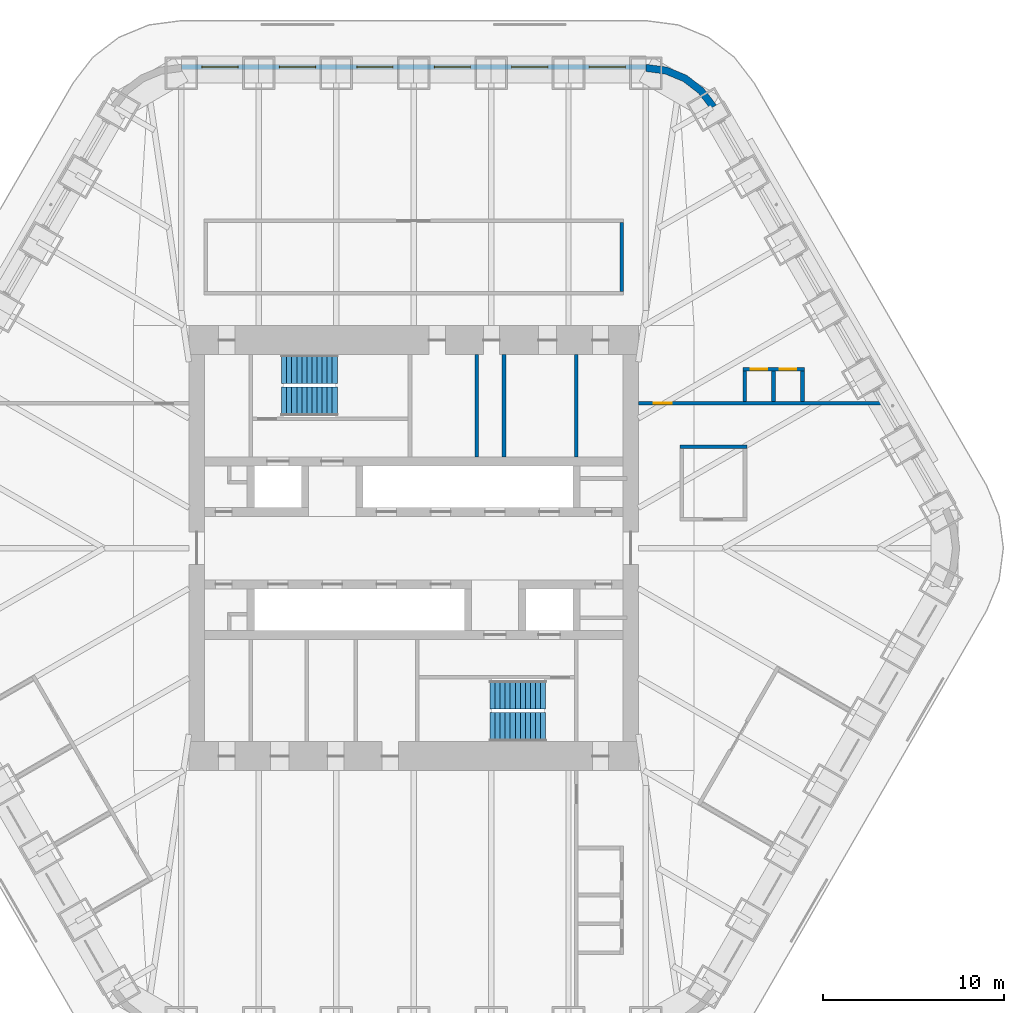
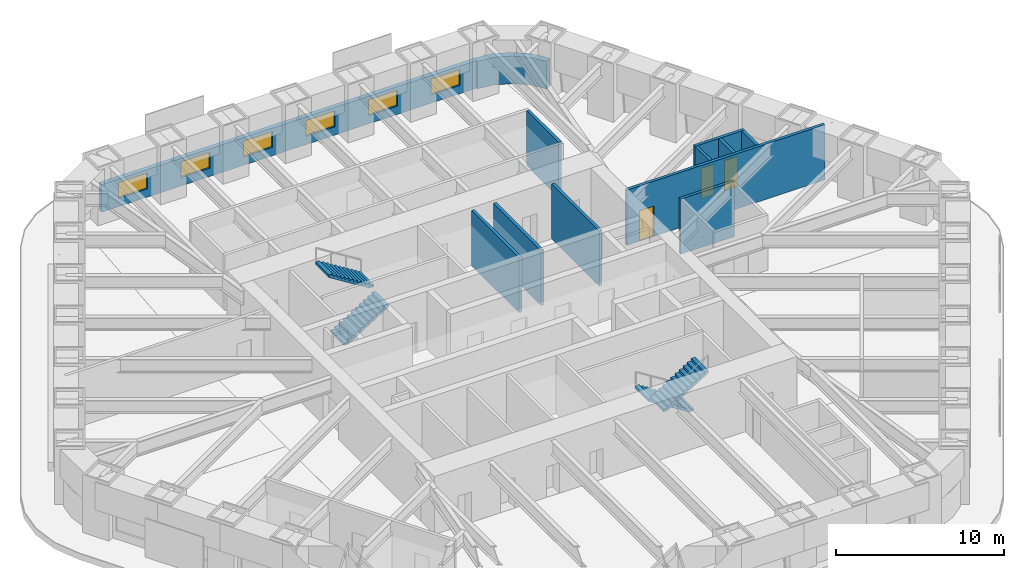
# One storey, part 16 of 18: 12 walls, 6 windows, 4 stair flights, 3 doors, 9 openings, 2 elements without a shape of their own.
"""IFC4 building model written with IfcOpenShell, lengths in metres."""

from ifc_helpers import new_model, si_unit, direction, frame, frame_2d, origin, place, context, subcontext, project, spatial, polyline, rectangle, outline, extrude, material, layer, layer_set, type_object, element, fill, aggregate, save


model = new_model("IFC4")

# Units and contexts
model_context = context("Model", 3, precision=1e-05, world=origin(), true_north=direction((0.0, 1.0)))
body_context = subcontext(model_context, "Body", "Model", "MODEL_VIEW")
ifc_project = project(units=[si_unit("LENGTHUNIT", "METRE"), si_unit("AREAUNIT", "SQUARE_METRE"), si_unit("VOLUMEUNIT", "CUBIC_METRE"), si_unit("PLANEANGLEUNIT", "RADIAN"), si_unit("MASSUNIT", "GRAM", prefix="KILO")], contexts=[model_context])

# Site, building, storey
site_placement = place(None, origin())
site = spatial("IfcSite", under=ifc_project, at=site_placement, CompositionType="ELEMENT")
building_placement = place(site_placement, origin())
building = spatial("IfcBuilding", under=site, at=building_placement, Name="Tarfa Lantern Tower", CompositionType="ELEMENT")
storey_placement = place(building_placement, frame((0.0, 0.0, 311.5)))
storey = spatial("IfcBuildingStorey", under=building, at=storey_placement, Name="L70", CompositionType="ELEMENT", Elevation=311.5)

# Wall, openings, windows
ifc_material_1 = material(Name="Limestone cladding on blockwork", Category="masonry")
ifc_layer_1 = layer(ifc_material_1, 0.300048828125)
ifc_layer_set_1 = layer_set([ifc_layer_1], Name="EW1 STONE-CLAD WALL 300")
wall_type_1 = type_object("IfcWallType", Name="EW1 STONE-CLAD WALL 300", PredefinedType="SOLIDWALL", material=ifc_layer_set_1)
wall_1_placement = place(storey_placement, frame((12.845947265625, 26.60009765625, 0.0), z_axis=(0.0, 0.0, 1.0), x_axis=(-1.0, 0.0, 0.0)))
wall_1 = element("IfcWall", 1, at=wall_1_placement, inside=storey, type_object=wall_type_1, Name="Stone wall N", PredefinedType="SOLIDWALL", context=body_context, shape_type="SweptSolid", body=[
    extrude(rectangle(XDim=25.69189453125, YDim=0.300048828125, at=frame_2d((12.845947265625, 0.0))), origin(), (0.0, 0.0, 1.0), 2.0),
])
opening_1_placement = place(wall_1_placement, frame((1.14111328125, 0.0, 0.60009765625)))
opening_1 = element("IfcOpeningElement", 2, at=opening_1_placement, cuts=wall_1, Name="Opening W12", PredefinedType="OPENING", context=body_context, shape_type="SweptSolid", body=[
    extrude(rectangle(XDim=2.0, YDim=1.14990234375, at=frame_2d((1.0, 0.574951171875))), frame((0.0, 0.159912109375, 0.0), z_axis=(0.0, -1.0, 0.0), x_axis=(1.0, 0.0, 0.0)), (0.0, 0.0, 1.0), 0.320068359375),
])
opening_2_placement = place(wall_1_placement, frame((5.423095703125, 0.0, 0.60009765625)))
opening_2 = element("IfcOpeningElement", 3, at=opening_2_placement, cuts=wall_1, Name="Opening W12", PredefinedType="OPENING", context=body_context, shape_type="SweptSolid", body=[
    extrude(rectangle(XDim=2.0, YDim=1.14990234375, at=frame_2d((1.0, 0.574951171875))), frame((0.0, 0.159912109375, 0.0), z_axis=(0.0, -1.0, 0.0), x_axis=(1.0, 0.0, 0.0)), (0.0, 0.0, 1.0), 0.320068359375),
])
opening_3_placement = place(wall_1_placement, frame((9.705078125, 0.0, 0.60009765625)))
opening_3 = element("IfcOpeningElement", 4, at=opening_3_placement, cuts=wall_1, Name="Opening W12", PredefinedType="OPENING", context=body_context, shape_type="SweptSolid", body=[
    extrude(rectangle(XDim=2.0, YDim=1.14990234375, at=frame_2d((1.0, 0.574951171875))), frame((0.0, 0.159912109375, 0.0), z_axis=(0.0, -1.0, 0.0), x_axis=(1.0, 0.0, 0.0)), (0.0, 0.0, 1.0), 0.320068359375),
])
opening_4_placement = place(wall_1_placement, frame((13.987060546875, 0.0, 0.60009765625)))
opening_4 = element("IfcOpeningElement", 5, at=opening_4_placement, cuts=wall_1, Name="Opening W12", PredefinedType="OPENING", context=body_context, shape_type="SweptSolid", body=[
    extrude(rectangle(XDim=2.0, YDim=1.14990234375, at=frame_2d((1.0, 0.574951171875))), frame((0.0, 0.159912109375, 0.0), z_axis=(0.0, -1.0, 0.0), x_axis=(1.0, 0.0, 0.0)), (0.0, 0.0, 1.0), 0.320068359375),
])
opening_5_placement = place(wall_1_placement, frame((18.26904296875, 0.0, 0.60009765625)))
opening_5 = element("IfcOpeningElement", 6, at=opening_5_placement, cuts=wall_1, Name="Opening W12", PredefinedType="OPENING", context=body_context, shape_type="SweptSolid", body=[
    extrude(rectangle(XDim=2.0, YDim=1.14990234375, at=frame_2d((1.0, 0.574951171875))), frame((0.0, 0.159912109375, 0.0), z_axis=(0.0, -1.0, 0.0), x_axis=(1.0, 0.0, 0.0)), (0.0, 0.0, 1.0), 0.320068359375),
])
opening_6_placement = place(wall_1_placement, frame((22.551025390625, 0.0, 0.60009765625)))
opening_6 = element("IfcOpeningElement", 7, at=opening_6_placement, cuts=wall_1, Name="Opening W12", PredefinedType="OPENING", context=body_context, shape_type="SweptSolid", body=[
    extrude(rectangle(XDim=2.0, YDim=1.14990234375, at=frame_2d((1.0, 0.574951171875))), frame((0.0, 0.159912109375, 0.0), z_axis=(0.0, -1.0, 0.0), x_axis=(1.0, 0.0, 0.0)), (0.0, 0.0, 1.0), 0.320068359375),
])
ifc_material_2 = material(Name="Aluminium frame, double glazed", Category="aluminium")
window_type = type_object("IfcWindowType", Name="W12 FULL-HEIGHT GLAZING 2000x1150", PartitioningType="SINGLE_PANEL", PredefinedType="WINDOW", material=ifc_material_2)
window_1_placement = place(opening_1_placement, origin())
window_1 = element("IfcWindow", 8, at=window_1_placement, inside=storey, type_object=window_type, Name="Window N 1", OverallHeight=1.14990234375, OverallWidth=2.0, PartitioningType="SINGLE_PANEL", PredefinedType="WINDOW", context=body_context, shape_type="SweptSolid", body=[
    extrude(rectangle(XDim=2.0, YDim=1.14990234375, at=frame_2d((1.0, 0.574951171875))), frame((0.0, 0.030029296875, 0.0), z_axis=(0.0, -1.0, 0.0), x_axis=(1.0, 0.0, 0.0)), (0.0, 0.0, 1.0), 0.06005859375),
])
fill(opening_1, window_1)
window_2_placement = place(opening_2_placement, origin())
window_2 = element("IfcWindow", 9, at=window_2_placement, inside=storey, type_object=window_type, Name="Window N 2", OverallHeight=1.14990234375, OverallWidth=2.0, PartitioningType="SINGLE_PANEL", PredefinedType="WINDOW", context=body_context, shape_type="SweptSolid", body=[
    extrude(rectangle(XDim=2.0, YDim=1.14990234375, at=frame_2d((1.0, 0.574951171875))), frame((0.0, 0.030029296875, 0.0), z_axis=(0.0, -1.0, 0.0), x_axis=(1.0, 0.0, 0.0)), (0.0, 0.0, 1.0), 0.06005859375),
])
fill(opening_2, window_2)
window_3_placement = place(opening_3_placement, origin())
window_3 = element("IfcWindow", 10, at=window_3_placement, inside=storey, type_object=window_type, Name="Window N 3", OverallHeight=1.14990234375, OverallWidth=2.0, PartitioningType="SINGLE_PANEL", PredefinedType="WINDOW", context=body_context, shape_type="SweptSolid", body=[
    extrude(rectangle(XDim=2.0, YDim=1.14990234375, at=frame_2d((1.0, 0.574951171875))), frame((0.0, 0.030029296875, 0.0), z_axis=(0.0, -1.0, 0.0), x_axis=(1.0, 0.0, 0.0)), (0.0, 0.0, 1.0), 0.06005859375),
])
fill(opening_3, window_3)
window_4_placement = place(opening_4_placement, origin())
window_4 = element("IfcWindow", 11, at=window_4_placement, inside=storey, type_object=window_type, Name="Window N 4", OverallHeight=1.14990234375, OverallWidth=2.0, PartitioningType="SINGLE_PANEL", PredefinedType="WINDOW", context=body_context, shape_type="SweptSolid", body=[
    extrude(rectangle(XDim=2.0, YDim=1.14990234375, at=frame_2d((1.0, 0.574951171875))), frame((0.0, 0.030029296875, 0.0), z_axis=(0.0, -1.0, 0.0), x_axis=(1.0, 0.0, 0.0)), (0.0, 0.0, 1.0), 0.06005859375),
])
fill(opening_4, window_4)
window_5_placement = place(opening_5_placement, origin())
window_5 = element("IfcWindow", 12, at=window_5_placement, inside=storey, type_object=window_type, Name="Window N 5", OverallHeight=1.14990234375, OverallWidth=2.0, PartitioningType="SINGLE_PANEL", PredefinedType="WINDOW", context=body_context, shape_type="SweptSolid", body=[
    extrude(rectangle(XDim=2.0, YDim=1.14990234375, at=frame_2d((1.0, 0.574951171875))), frame((0.0, 0.030029296875, 0.0), z_axis=(0.0, -1.0, 0.0), x_axis=(1.0, 0.0, 0.0)), (0.0, 0.0, 1.0), 0.06005859375),
])
fill(opening_5, window_5)
window_6_placement = place(opening_6_placement, origin())
window_6 = element("IfcWindow", 13, at=window_6_placement, inside=storey, type_object=window_type, Name="Window N 6", OverallHeight=1.14990234375, OverallWidth=2.0, PartitioningType="SINGLE_PANEL", PredefinedType="WINDOW", context=body_context, shape_type="SweptSolid", body=[
    extrude(rectangle(XDim=2.0, YDim=1.14990234375, at=frame_2d((1.0, 0.574951171875))), frame((0.0, 0.030029296875, 0.0), z_axis=(0.0, -1.0, 0.0), x_axis=(1.0, 0.0, 0.0)), (0.0, 0.0, 1.0), 0.06005859375),
])
fill(opening_6, window_6)

# Walls
ifc_layer_2 = layer(ifc_material_1, 0.39990234375)
ifc_layer_set_2 = layer_set([ifc_layer_2], Name="EW2 CURVED STONE CORNER 400")
wall_type_2 = type_object("IfcWallType", Name="EW2 CURVED STONE CORNER 400", PredefinedType="SOLIDWALL", material=ifc_layer_set_2)
wall_2_placement = place(storey_placement, origin())
element("IfcWall", 14, at=wall_2_placement, inside=storey, type_object=wall_type_2, Name="Stone corner NE-N", PredefinedType="SOLIDWALL", context=body_context, shape_type="SweptSolid", body=[
    extrude(outline(polyline([(16.7431640625, 24.5), (16.028076171875, 25.431884765625), (15.095947265625, 26.147216796875), (14.0107421875, 26.5966796875), (12.845947265625, 26.75), (12.845947265625, 26.35009765625), (13.9072265625, 26.210205078125), (14.89599609375, 25.80078125), (15.7451171875, 25.149169921875), (16.396728515625, 24.300048828125), (16.7431640625, 24.5)])), origin(), (0.0, 0.0, 1.0), 2.0),
])
ifc_material_3 = material(Name="Concrete blockwork", Category="masonry")
ifc_layer_3 = layer(ifc_material_3, 0.199951171875)
ifc_layer_set_3 = layer_set([ifc_layer_3], Name="IW1 BLOCKWORK PARTITION 200 EI 120")
wall_type_3 = type_object("IfcWallType", Name="IW1 BLOCKWORK PARTITION 200 EI 120", PredefinedType="PARTITIONING", material=ifc_layer_set_3)
for number, where, z_axis, x_axis, name in (
    (15, (9.0, 5.050048828125, 0.0), (0.0, 0.0, 1.0), (0.0, 1.0, 0.0), "Core partition"),
    (16, (3.5, 5.050048828125, 0.0), (0.0, 0.0, 1.0), (0.0, 1.0, 0.0), "Core partition"),
    (17, (5.0, 5.050048828125, 0.0), (0.0, 0.0, 1.0), (0.0, 1.0, 0.0), "Core partition"),
):
    element("IfcWall", number, at=place(storey_placement, frame(where, z_axis=z_axis, x_axis=x_axis)), inside=storey, type_object=wall_type_3, Name=name, PredefinedType="PARTITIONING", context=body_context, shape_type="SweptSolid", body=[
        extrude(rectangle(XDim=5.64990234375, YDim=0.199951171875, at=frame_2d((2.824951171875, 0.0))), origin(), (0.0, 0.0, 1.0), 4.0),
    ])
ifc_material_4 = material(Name="Gypsum board on steel studs", Category="steel")
ifc_layer_4 = layer(ifc_material_4, 0.2099609375)
ifc_layer_set_4 = layer_set([ifc_layer_4], Name="IW2 ACOUSTIC PARTITION 200")
wall_type_4 = type_object("IfcWallType", Name="IW2 ACOUSTIC PARTITION 200", PredefinedType="PARTITIONING", material=ifc_layer_set_4)
wall_3_placement = place(storey_placement, frame((11.5, 14.199951171875, 0.0), z_axis=(0.0, 0.0, 1.0), x_axis=(0.0, 1.0, 0.0)))
element("IfcWall", 18, at=wall_3_placement, inside=storey, type_object=wall_type_4, Name="Partition", PredefinedType="PARTITIONING", context=body_context, shape_type="SweptSolid", body=[
    extrude(rectangle(XDim=3.800048828125, YDim=0.199951171875, at=frame_2d((1.89990234375, 0.0))), origin(), (0.0, 0.0, 1.0), 4.0),
])
wall_4_placement = place(storey_placement, frame((14.72509765625, 5.60009765625, 0.0), z_axis=(0.0, 0.0, 1.0), x_axis=(1.0, 0.0, 0.0)))
element("IfcWall", 19, at=wall_4_placement, inside=storey, type_object=wall_type_4, Name="Partition", PredefinedType="PARTITIONING", context=body_context, shape_type="SweptSolid", body=[
    extrude(rectangle(XDim=3.699951171875, YDim=0.199951171875, at=frame_2d((1.85009765625, 0.0))), origin(), (0.0, 0.0, 1.0), 4.0),
])

# Wall, opening, door
wall_5_placement = place(storey_placement, frame((12.425048828125, 8.0, 0.0), z_axis=(0.0, 0.0, 1.0), x_axis=(1.0, 0.0, 0.0)))
wall_5 = element("IfcWall", 20, at=wall_5_placement, inside=storey, type_object=wall_type_4, Name="Partition", PredefinedType="PARTITIONING", context=body_context, shape_type="SweptSolid", body=[
    extrude(rectangle(XDim=13.59033203125, YDim=0.199951171875, at=frame_2d((6.795166015625, 0.0))), origin(), (0.0, 0.0, 1.0), 4.0),
])
opening_7_placement = place(wall_5_placement, frame((0.859130859375, 0.0, 0.0)))
opening_7 = element("IfcOpeningElement", 21, at=opening_7_placement, cuts=wall_5, Name="Opening D32", PredefinedType="OPENING", context=body_context, shape_type="SweptSolid", body=[
    extrude(rectangle(XDim=1.0, YDim=2.199951171875, at=frame_2d((0.5, 1.10009765625))), frame((0.0, 0.10986328125, 0.0), z_axis=(0.0, -1.0, 0.0), x_axis=(1.0, 0.0, 0.0)), (0.0, 0.0, 1.0), 0.219970703125),
])
ifc_material_5 = material(Name="Timber door", Category="wood")
door_type_1 = type_object("IfcDoorType", Name="DR1 ROOM DOOR 1000x2200", OperationType="SINGLE_SWING_LEFT", PredefinedType="DOOR", material=ifc_material_5)
door_1_placement = place(opening_7_placement, frame((1.0, 0.0, 0.0), z_axis=(0.0, 0.0, 1.0), x_axis=(-1.0, 0.0, 0.0)))
door_1 = element("IfcDoor", 22, at=door_1_placement, inside=storey, type_object=door_type_1, Name="Zone door", OperationType="SINGLE_SWING_LEFT", OverallHeight=2.199951171875, OverallWidth=1.0, PredefinedType="DOOR", context=body_context, shape_type="SweptSolid", body=[
    extrude(rectangle(XDim=1.0, YDim=2.199951171875, at=frame_2d((0.5, 1.10009765625))), frame((0.0, 0.02490234375, 0.0), z_axis=(0.0, -1.0, 0.0), x_axis=(1.0, 0.0, 0.0)), (0.0, 0.0, 1.0), 0.050048828125),
])
fill(opening_7, door_1)

# Wall, openings, doors
wall_6_placement = place(storey_placement, frame((18.19970703125, 9.89990234375, 0.0), z_axis=(0.0, 0.0, 1.0), x_axis=(1.0, 0.0, 0.0)))
wall_6 = element("IfcWall", 23, at=wall_6_placement, inside=storey, type_object=wall_type_4, Name="Partition", PredefinedType="PARTITIONING", context=body_context, shape_type="SweptSolid", body=[
    extrude(rectangle(XDim=3.39990234375, YDim=0.199951171875, at=frame_2d((1.699951171875, 0.0))), origin(), (0.0, 0.0, 1.0), 4.0),
])
opening_8_placement = place(wall_6_placement, frame((0.449951171875, 0.0, 0.0)))
opening_8 = element("IfcOpeningElement", 24, at=opening_8_placement, cuts=wall_6, Name="Opening D30", PredefinedType="OPENING", context=body_context, shape_type="SweptSolid", body=[
    extrude(rectangle(XDim=0.89990234375, YDim=2.199951171875, at=frame_2d((0.449951171875, 1.10009765625))), frame((0.0, 0.10986328125, 0.0), z_axis=(0.0, -1.0, 0.0), x_axis=(1.0, 0.0, 0.0)), (0.0, 0.0, 1.0), 0.219970703125),
])
opening_9_placement = place(wall_6_placement, frame((2.050048828125, 0.0, 0.0)))
opening_9 = element("IfcOpeningElement", 25, at=opening_9_placement, cuts=wall_6, Name="Opening D31", PredefinedType="OPENING", context=body_context, shape_type="SweptSolid", body=[
    extrude(rectangle(XDim=0.89990234375, YDim=2.199951171875, at=frame_2d((0.449951171875, 1.10009765625))), frame((0.0, 0.10986328125, 0.0), z_axis=(0.0, -1.0, 0.0), x_axis=(1.0, 0.0, 0.0)), (0.0, 0.0, 1.0), 0.219970703125),
])
door_type_2 = type_object("IfcDoorType", Name="DR3 ROOM DOOR 900x2200", OperationType="SINGLE_SWING_LEFT", PredefinedType="DOOR", material=ifc_material_5)
door_2_placement = place(opening_8_placement, frame((0.89990234375, 0.0, 0.0), z_axis=(0.0, 0.0, 1.0), x_axis=(-1.0, 0.0, 0.0)))
door_2 = element("IfcDoor", 26, at=door_2_placement, inside=storey, type_object=door_type_2, Name="Phone booth door", OperationType="SINGLE_SWING_LEFT", OverallHeight=2.199951171875, OverallWidth=0.89990234375, PredefinedType="DOOR", context=body_context, shape_type="SweptSolid", body=[
    extrude(rectangle(XDim=0.89990234375, YDim=2.199951171875, at=frame_2d((0.449951171875, 1.10009765625))), frame((0.0, 0.02490234375, 0.0), z_axis=(0.0, -1.0, 0.0), x_axis=(1.0, 0.0, 0.0)), (0.0, 0.0, 1.0), 0.050048828125),
])
fill(opening_8, door_2)
door_3_placement = place(opening_9_placement, frame((0.89990234375, 0.0, 0.0), z_axis=(0.0, 0.0, 1.0), x_axis=(-1.0, 0.0, 0.0)))
door_3 = element("IfcDoor", 27, at=door_3_placement, inside=storey, type_object=door_type_2, Name="Phone booth door", OperationType="SINGLE_SWING_RIGHT", OverallHeight=2.199951171875, OverallWidth=0.89990234375, PredefinedType="DOOR", context=body_context, shape_type="SweptSolid", body=[
    extrude(rectangle(XDim=0.89990234375, YDim=2.199951171875, at=frame_2d((0.449951171875, 1.10009765625))), frame((0.0, 0.02490234375, 0.0), z_axis=(0.0, -1.0, 0.0), x_axis=(1.0, 0.0, 0.0)), (0.0, 0.0, 1.0), 0.050048828125),
])
fill(opening_9, door_3)

# Walls
for number, where, z_axis, x_axis, name in (
    (28, (18.299560546875, 8.10009765625, 0.0), (0.0, 0.0, 1.0), (0.0, 1.0, 0.0), "Partition"),
    (29, (19.899658203125, 8.10009765625, 0.0), (0.0, 0.0, 1.0), (0.0, 1.0, 0.0), "Partition"),
    (30, (21.499755859375, 8.10009765625, 0.0), (0.0, 0.0, 1.0), (0.0, 1.0, 0.0), "Partition"),
):
    element("IfcWall", number, at=place(storey_placement, frame(where, z_axis=z_axis, x_axis=x_axis)), inside=storey, type_object=wall_type_4, Name=name, PredefinedType="PARTITIONING", context=body_context, shape_type="SweptSolid", body=[
        extrude(rectangle(XDim=1.699951171875, YDim=0.199951171875, at=frame_2d((0.85009765625, 0.0))), origin(), (0.0, 0.0, 1.0), 4.0),
    ])

# Stair, stair flights
ifc_material_6 = material(Name="Concrete C40/50", Category="concrete")
stair_type = type_object("IfcStairType", Name="ST-T10 HALF-TURN STAIR 4200 RISE", PredefinedType="HALF_TURN_STAIR", material=ifc_material_6)
stair_1_placement = place(storey_placement, origin())
stair_1 = element("IfcStair", 31, at=stair_1_placement, inside=storey, type_object=stair_type, Name="Stair ST1", PredefinedType="HALF_TURN_STAIR")
stair_flight_type = type_object("IfcStairFlightType", Name="SF1 STAIR FLIGHT", PredefinedType="STRAIGHT", material=ifc_material_6)
stair_flight_1_placement = place(storey_placement, frame((-7.300048828125, 8.10009765625, 0.0), z_axis=(0.0, 0.0, 1.0), x_axis=(1.0, 0.0, 0.0)))
stair_flight_1 = element("IfcStairFlight", 32, at=stair_flight_1_placement, type_object=stair_flight_type, Name="ST1 flight 1", NumberOfRisers=12, NumberOfTreads=11, PredefinedType="STRAIGHT", RiserHeight=0.175, TreadLength=0.28, context=body_context, shape_type="SweptSolid", body=[
    extrude(outline(polyline([(0.0, 0.0), (0.0, 0.175048828125), (0.280029296875, 0.175048828125), (0.280029296875, 0.35009765625), (0.56005859375, 0.35009765625), (0.56005859375, 0.52490234375), (0.840087890625, 0.52490234375), (0.840087890625, 0.699951171875), (1.1201171875, 0.699951171875), (1.1201171875, 0.875), (1.39990234375, 0.875), (1.39990234375, 1.050048828125), (1.679931640625, 1.050048828125), (1.679931640625, 1.22509765625), (1.9599609375, 1.22509765625), (1.9599609375, 1.39990234375), (2.239990234375, 1.39990234375), (2.239990234375, 1.574951171875), (2.52001953125, 1.574951171875), (2.52001953125, 1.75), (2.800048828125, 1.75), (2.800048828125, 1.925048828125), (3.080078125, 1.925048828125), (3.080078125, 2.10009765625), (3.080078125, 1.748291015625), (0.28271484375, 0.0), (0.0, 0.0)])), frame((0.0, 0.800048828125, 0.0), z_axis=(0.0, -1.0, 0.0), x_axis=(1.0, 0.0, 0.0)), (0.0, 0.0, 1.0), 1.60009765625),
])
stair_flight_2_placement = place(storey_placement, frame((-4.219970703125, 9.89990234375, 2.10009765625), z_axis=(0.0, 0.0, 1.0), x_axis=(-1.0, 0.0, 0.0)))
stair_flight_2 = element("IfcStairFlight", 33, at=stair_flight_2_placement, type_object=stair_flight_type, Name="ST1 flight 2", NumberOfRisers=12, NumberOfTreads=11, PredefinedType="STRAIGHT", RiserHeight=0.175, TreadLength=0.28, context=body_context, shape_type="SweptSolid", body=[
    extrude(outline(polyline([(0.0, 0.0), (0.0, 0.175048828125), (0.280029296875, 0.175048828125), (0.280029296875, 0.35009765625), (0.56005859375, 0.35009765625), (0.56005859375, 0.52490234375), (0.840087890625, 0.52490234375), (0.840087890625, 0.699951171875), (1.1201171875, 0.699951171875), (1.1201171875, 0.875), (1.39990234375, 0.875), (1.39990234375, 1.050048828125), (1.679931640625, 1.050048828125), (1.679931640625, 1.22509765625), (1.9599609375, 1.22509765625), (1.9599609375, 1.39990234375), (2.239990234375, 1.39990234375), (2.239990234375, 1.574951171875), (2.52001953125, 1.574951171875), (2.52001953125, 1.75), (2.800048828125, 1.75), (2.800048828125, 1.925048828125), (3.080078125, 1.925048828125), (3.080078125, 2.10009765625), (3.080078125, 1.748291015625), (0.28271484375, 0.0), (0.0, 0.0)])), frame((0.0, 0.800048828125, 0.0), z_axis=(0.0, -1.0, 0.0), x_axis=(1.0, 0.0, 0.0)), (0.0, 0.0, 1.0), 1.60009765625),
])
aggregate(stair_1, [stair_flight_1, stair_flight_2])

stair_2_placement = place(storey_placement, origin())
stair_2 = element("IfcStair", 34, at=stair_2_placement, inside=storey, type_object=stair_type, Name="Stair ST2", PredefinedType="HALF_TURN_STAIR")
stair_flight_3_placement = place(storey_placement, frame((7.300048828125, -8.10009765625, 0.0), z_axis=(0.0, 0.0, 1.0), x_axis=(-1.0, 0.0, 0.0)))
stair_flight_3 = element("IfcStairFlight", 35, at=stair_flight_3_placement, type_object=stair_flight_type, Name="ST2 flight 1", NumberOfRisers=12, NumberOfTreads=11, PredefinedType="STRAIGHT", RiserHeight=0.175, TreadLength=0.28, context=body_context, shape_type="SweptSolid", body=[
    extrude(outline(polyline([(0.0, 0.0), (0.0, 0.175048828125), (0.280029296875, 0.175048828125), (0.280029296875, 0.35009765625), (0.56005859375, 0.35009765625), (0.56005859375, 0.52490234375), (0.840087890625, 0.52490234375), (0.840087890625, 0.699951171875), (1.1201171875, 0.699951171875), (1.1201171875, 0.875), (1.39990234375, 0.875), (1.39990234375, 1.050048828125), (1.679931640625, 1.050048828125), (1.679931640625, 1.22509765625), (1.9599609375, 1.22509765625), (1.9599609375, 1.39990234375), (2.239990234375, 1.39990234375), (2.239990234375, 1.574951171875), (2.52001953125, 1.574951171875), (2.52001953125, 1.75), (2.800048828125, 1.75), (2.800048828125, 1.925048828125), (3.080078125, 1.925048828125), (3.080078125, 2.10009765625), (3.080078125, 1.748291015625), (0.28271484375, 0.0), (0.0, 0.0)])), frame((0.0, 0.800048828125, 0.0), z_axis=(0.0, -1.0, 0.0), x_axis=(1.0, 0.0, 0.0)), (0.0, 0.0, 1.0), 1.60009765625),
])
stair_flight_4_placement = place(storey_placement, frame((4.219970703125, -9.89990234375, 2.10009765625), z_axis=(0.0, 0.0, 1.0), x_axis=(1.0, 0.0, 0.0)))
stair_flight_4 = element("IfcStairFlight", 36, at=stair_flight_4_placement, type_object=stair_flight_type, Name="ST2 flight 2", NumberOfRisers=12, NumberOfTreads=11, PredefinedType="STRAIGHT", RiserHeight=0.175, TreadLength=0.28, context=body_context, shape_type="SweptSolid", body=[
    extrude(outline(polyline([(0.0, 0.0), (0.0, 0.175048828125), (0.280029296875, 0.175048828125), (0.280029296875, 0.35009765625), (0.56005859375, 0.35009765625), (0.56005859375, 0.52490234375), (0.840087890625, 0.52490234375), (0.840087890625, 0.699951171875), (1.1201171875, 0.699951171875), (1.1201171875, 0.875), (1.39990234375, 0.875), (1.39990234375, 1.050048828125), (1.679931640625, 1.050048828125), (1.679931640625, 1.22509765625), (1.9599609375, 1.22509765625), (1.9599609375, 1.39990234375), (2.239990234375, 1.39990234375), (2.239990234375, 1.574951171875), (2.52001953125, 1.574951171875), (2.52001953125, 1.75), (2.800048828125, 1.75), (2.800048828125, 1.925048828125), (3.080078125, 1.925048828125), (3.080078125, 2.10009765625), (3.080078125, 1.748291015625), (0.28271484375, 0.0), (0.0, 0.0)])), frame((0.0, 0.800048828125, 0.0), z_axis=(0.0, -1.0, 0.0), x_axis=(1.0, 0.0, 0.0)), (0.0, 0.0, 1.0), 1.60009765625),
])
aggregate(stair_2, [stair_flight_3, stair_flight_4])

save(model, "model.ifc")
